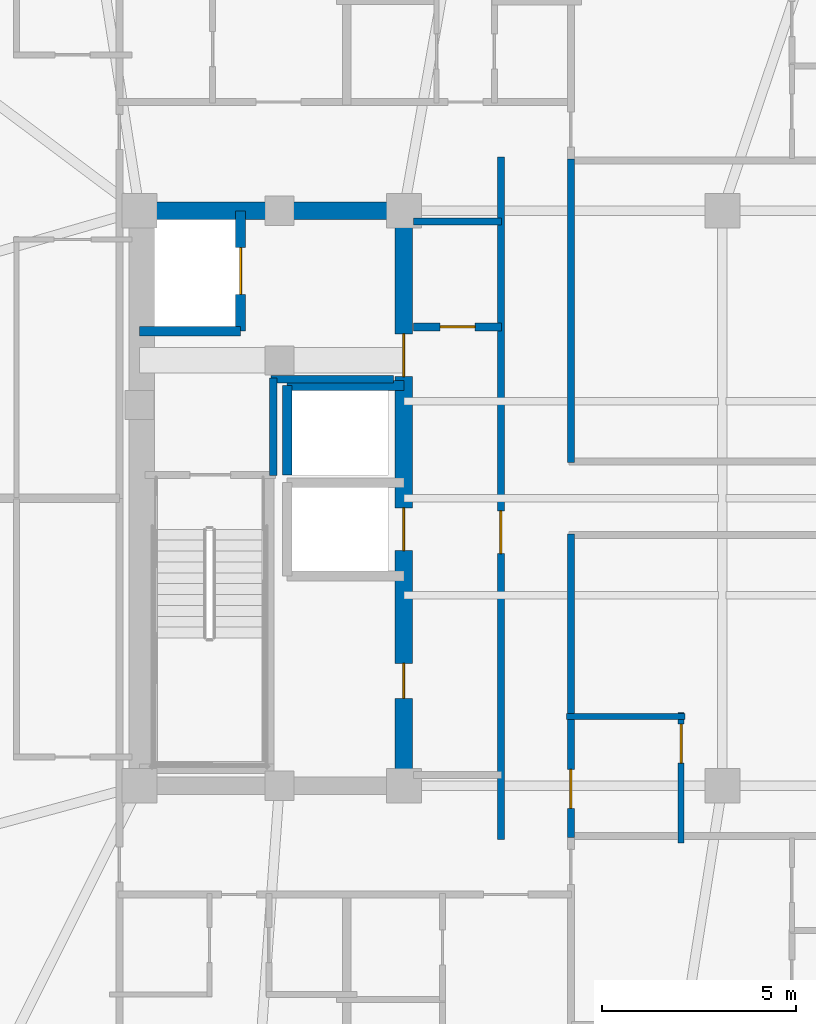
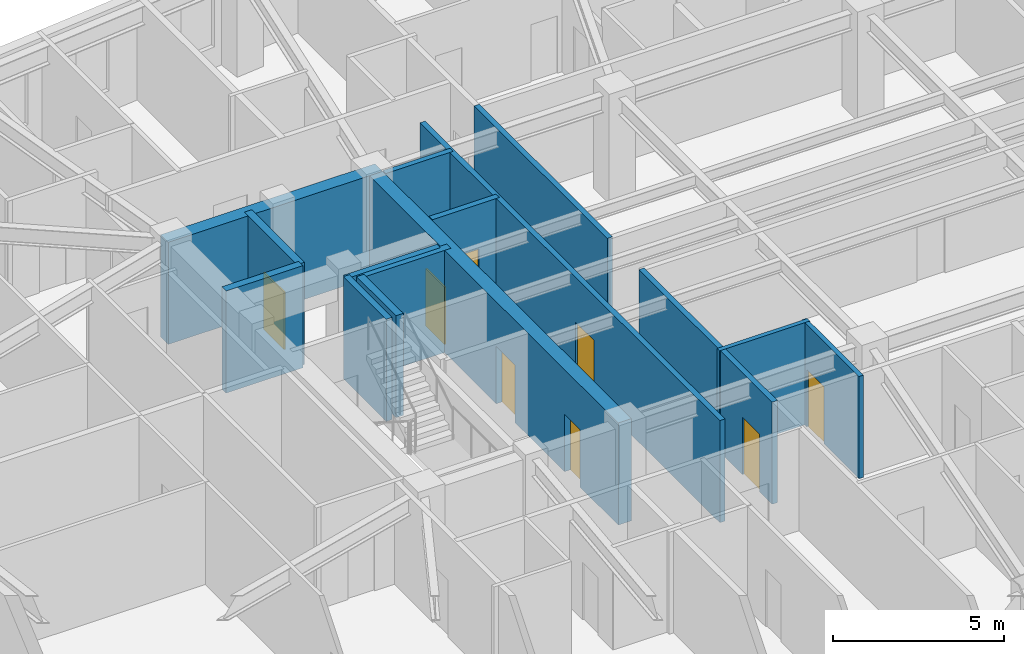
# One storey, part 4 of 12: 15 walls, 8 doors, 8 openings.
"""IFC4 building model written with IfcOpenShell, lengths in metres."""

import ifcopenshell
import ifcopenshell.guid

model = None  # the IFC model being written
_history = None  # IfcOwnerHistory: only IFC2X3 demands one
_inside = {}  # id of a spatial element -> (the spatial element, [elements in it])
_under = {}  # id of a project, library or spatial element -> (it, [spatial elements below it])
_declared = {}  # id of a project -> (the project, [libraries it declares])
_typed = {}  # id of a type object -> (the type object, [elements of that type])
_made_of = {}  # id of a material, layer set ... -> (it, [elements and type objects made of it])


def new_model(schema):
    """Start an empty IFC model of exactly this schema.

    Asked for "IFC4X3", IfcOpenShell would pick the latest addendum, in which some entities
    have other attributes; the version numbers below select the first issue.
    IFC2X3 requires an IfcOwnerHistory on every rooted entity: one is made here for all.
    """
    global model, _history
    if schema == "IFC4X3":
        model = ifcopenshell.file(schema_version=(4, 3, 0, 0))
    else:
        model = ifcopenshell.file(schema=schema)
    _inside.clear()
    _under.clear()
    _declared.clear()
    _typed.clear()
    _made_of.clear()
    _history = None
    if model.schema == "IFC2X3":
        org = make("IfcOrganization", Name="unknown")
        user = make(
            "IfcPersonAndOrganization",
            ThePerson=make("IfcPerson", FamilyName="unknown"),
            TheOrganization=org,
        )
        app = make(
            "IfcApplication",
            ApplicationDeveloper=org,
            Version="unknown",
            ApplicationFullName="unknown",
            ApplicationIdentifier="unknown",
        )
        _history = make(
            "IfcOwnerHistory",
            OwningUser=user,
            OwningApplication=app,
            ChangeAction="ADDED",
            CreationDate=0,
        )
    return model


def make(cls, **values):
    """One entity of the class cls with the attributes given. An attribute that is None is left unset."""
    return model.create_entity(
        cls, **{name: value for name, value in values.items() if value is not None}
    )


def rooted(cls, **values):
    """An entity with a GlobalId (a new one), such as an element, a storey or a relation."""
    return make(cls, GlobalId=ifcopenshell.guid.new(), OwnerHistory=_history, **values)


def si_unit(unit_type, name, prefix=None):
    """IfcSIUnit, for example si_unit("LENGTHUNIT", "METRE", prefix="MILLI")."""
    return make("IfcSIUnit", UnitType=unit_type, Prefix=prefix, Name=name)


def assignment(units):
    """IfcUnitAssignment: the units of a project."""
    return None if units is None else make("IfcUnitAssignment", Units=units)


def point(xyz):
    """IfcCartesianPoint."""
    return None if xyz is None else make("IfcCartesianPoint", Coordinates=xyz)


def direction(xyz):
    """IfcDirection."""
    return None if xyz is None else make("IfcDirection", DirectionRatios=xyz)


def frame(location, z_axis=None, x_axis=None):
    """IfcAxis2Placement3D, a coordinate frame: its origin and axes. An axis left out is left unset."""
    return make(
        "IfcAxis2Placement3D",
        Location=point(location),
        Axis=direction(z_axis),
        RefDirection=direction(x_axis),
    )


def frame_2d(location, x_axis=None):
    """IfcAxis2Placement2D, a coordinate frame in the plane: its origin and x axis."""
    return make(
        "IfcAxis2Placement2D", Location=point(location), RefDirection=direction(x_axis)
    )


def origin():
    """The frame at (0, 0, 0) with its axes left unset."""
    return frame((0.0, 0.0, 0.0))


def place(relative_to, where):
    """IfcLocalPlacement: puts the frame where relative to a parent placement (None: the world)."""
    return make(
        "IfcLocalPlacement", PlacementRelTo=relative_to, RelativePlacement=where
    )


def context(
    kind, dimensions, precision=None, world=None, true_north=None, identifier=None
):
    """IfcGeometricRepresentationContext, for example the 3D "Model" context."""
    return make(
        "IfcGeometricRepresentationContext",
        ContextIdentifier=identifier,
        ContextType=kind,
        CoordinateSpaceDimension=dimensions,
        Precision=precision,
        WorldCoordinateSystem=world,
        TrueNorth=true_north,
    )


def subcontext(parent, identifier, kind, view, scale=None):
    """IfcGeometricRepresentationSubContext, for example "Body" below "Model"."""
    return make(
        "IfcGeometricRepresentationSubContext",
        ContextIdentifier=identifier,
        ContextType=kind,
        ParentContext=parent,
        TargetScale=scale,
        TargetView=view,
    )


def project(units=None, contexts=None):
    """IfcProject with its units and contexts."""
    return rooted(
        "IfcProject",
        Name="project",
        RepresentationContexts=contexts,
        UnitsInContext=assignment(units),
    )


def spatial(cls, under=None, at=None, **own):
    """A site, building, storey or space (cls), placed at a placement, below another one or the project."""
    s = rooted(cls, ObjectPlacement=at, **own)
    if under is not None:
        _under.setdefault(under.id(), (under, []))[1].append(s)
    return s


def profile(cls, at=None, kind="AREA", **sizes):
    """A parametric profile (cls). Its sizes go by their IFC names, for example OverallWidth=200.0."""
    return make(cls, ProfileType=kind, Position=at, **sizes)


def rectangle(**sizes):
    """IfcRectangleProfileDef."""
    return profile("IfcRectangleProfileDef", **sizes)


def extrude(swept, where, along, depth):
    """IfcExtrudedAreaSolid: the profile swept, set in the frame where, extruded along a direction by depth."""
    return make(
        "IfcExtrudedAreaSolid",
        SweptArea=swept,
        Position=where,
        ExtrudedDirection=direction(along),
        Depth=depth,
    )


def shape(context_of_items, identifier, shape_type, items):
    """IfcShapeRepresentation: the items that make up one representation, for example the "Body"."""
    return make(
        "IfcShapeRepresentation",
        ContextOfItems=context_of_items,
        RepresentationIdentifier=identifier,
        RepresentationType=shape_type,
        Items=items,
    )


def material(Name=None, Category=None):
    """IfcMaterial."""
    return make("IfcMaterial", Name=Name, Category=Category)


def layer(
    of_material, thickness, ventilated=None, Name=None, Category=None, Priority=None
):
    """IfcMaterialLayer: one layer of a wall or slab, of a material (None: an air gap)."""
    return make(
        "IfcMaterialLayer",
        Material=of_material,
        LayerThickness=thickness,
        IsVentilated=ventilated,
        Name=Name,
        Category=Category,
        Priority=Priority,
    )


def layer_set(layers, Name=None):
    """IfcMaterialLayerSet."""
    return make("IfcMaterialLayerSet", MaterialLayers=layers, LayerSetName=Name)


def made_of(thing, what):
    """Note that an element or type object is made of a material, layer set ...; save() writes the relation."""
    if what is not None:
        _made_of.setdefault(what.id(), (what, []))[1].append(thing)
    return thing


def type_object(cls, material=None, **own):
    """A type object (cls), such as IfcWallType, which elements share."""
    return made_of(rooted(cls, **own), material)


def element(
    cls,
    number,
    at=None,
    inside=None,
    cuts=None,
    type_object=None,
    material=None,
    context=None,
    identifier="Body",
    shape_type=None,
    held_by="IfcProductDefinitionShape",
    body=None,
    shapes=None,
    **own,
):
    """One element of the class cls, such as IfcWall. Its Tag is "e" and its number.

    at: its placement. inside: the storey or other place that contains it. cuts: it is an
    opening in that element (IfcRelVoidsElement). A single representation is given by context,
    identifier, shape_type and body (its items); several are given by shapes. held_by: the class
    of the entity that holds the representations. save() writes the other relations.
    """
    e = rooted(cls, Tag="e%d" % number, ObjectPlacement=at, **own)
    if body is not None:
        shapes = [shape(context, identifier, shape_type, body)]
    if shapes is not None:
        e.Representation = make(held_by, Representations=shapes)
    if inside is not None:
        _inside.setdefault(inside.id(), (inside, []))[1].append(e)
    if cuts is not None:
        rooted(
            "IfcRelVoidsElement", RelatingBuildingElement=cuts, RelatedOpeningElement=e
        )
    if type_object is not None:
        _typed.setdefault(type_object.id(), (type_object, []))[1].append(e)
    return made_of(e, material)


def fill(opening, filler):
    """IfcRelFillsElement: the door or window that sits in an opening."""
    return rooted(
        "IfcRelFillsElement",
        RelatingOpeningElement=opening,
        RelatedBuildingElement=filler,
    )


def aggregate(whole, parts):
    """IfcRelAggregates: a whole, such as a stair, and the parts it consists of."""
    return rooted("IfcRelAggregates", RelatingObject=whole, RelatedObjects=parts)


def save(model, path):
    """Write the relations noted so far, then the file.

    IfcRelAggregates (storeys below a building ...), IfcRelContainedInSpatialStructure (elements
    in a storey), IfcRelDefinesByType, IfcRelAssociatesMaterial and IfcRelDeclares: one each for
    every whole, place, type object, material and project.
    """
    for whole, parts in _under.values():
        aggregate(whole, parts)
    for where, things in _inside.values():
        rooted(
            "IfcRelContainedInSpatialStructure",
            RelatedElements=things,
            RelatingStructure=where,
        )
    for kind, things in _typed.values():
        rooted("IfcRelDefinesByType", RelatedObjects=things, RelatingType=kind)
    for what, things in _made_of.values():
        rooted("IfcRelAssociatesMaterial", RelatedObjects=things, RelatingMaterial=what)
    for by, libraries in _declared.values():
        rooted("IfcRelDeclares", RelatingContext=by, RelatedDefinitions=libraries)
    model.write(path)


model = new_model("IFC4")

# Units and contexts
model_context = context("Model", 3, precision=1e-05, world=origin(), true_north=direction((0.0, 1.0)))
body_context = subcontext(model_context, "Body", "Model", "MODEL_VIEW")
ifc_project = project(units=[si_unit("LENGTHUNIT", "METRE"), si_unit("AREAUNIT", "SQUARE_METRE"), si_unit("VOLUMEUNIT", "CUBIC_METRE"), si_unit("PLANEANGLEUNIT", "RADIAN"), si_unit("MASSUNIT", "GRAM", prefix="KILO")], contexts=[model_context])

# Site, building, storey
site_placement = place(None, origin())
site = spatial("IfcSite", under=ifc_project, at=site_placement, CompositionType="ELEMENT")
building_placement = place(site_placement, origin())
building = spatial("IfcBuilding", under=site, at=building_placement, Name="Voryun Gate Residences", CompositionType="ELEMENT")
storey_placement = place(building_placement, frame((0.0, 0.0, 187.199951171875)))
storey = spatial("IfcBuildingStorey", under=building, at=storey_placement, Name="L46", CompositionType="ELEMENT", Elevation=187.199951171875)

# Wall
ifc_material_1 = material(Name="Concrete C50/60", Category="concrete")
ifc_layer_1 = layer(ifc_material_1, 0.449951171875, Name="CW_CORE_450")
ifc_layer_set_1 = layer_set([ifc_layer_1], Name="Concrete C50/60")
wall_type_1 = type_object("IfcWallType", Name="CW_CORE_450", PredefinedType="SHEAR", material=ifc_layer_set_1)
wall_1_placement = place(storey_placement, frame((-19.425048828125, 7.39990234375, 0.0), z_axis=(0.0, 0.0, 1.0), x_axis=(1.0, 0.0, 0.0)))
element("IfcWall", 1, at=wall_1_placement, inside=storey, type_object=wall_type_1, Name="L46 Core shear wall CW-L46-WN", PredefinedType="SHEAR", context=body_context, shape_type="SweptSolid", body=[
    extrude(rectangle(XDim=7.25, YDim=0.449951171875, at=frame_2d((3.625, 0.0))), origin(), (0.0, 0.0, 1.0), 3.650146484375),
])

# Wall, openings, doors
wall_2_placement = place(storey_placement, frame((-12.39990234375, -7.39990234375, 0.0), z_axis=(0.0, 0.0, 1.0), x_axis=(0.0, 1.0, 0.0)))
wall_2 = element("IfcWall", 2, at=wall_2_placement, inside=storey, type_object=wall_type_1, Name="L46 Core shear wall CW-L46-WE", PredefinedType="SHEAR", context=body_context, shape_type="SweptSolid", body=[
    extrude(rectangle(XDim=14.7998046875, YDim=0.449951171875, at=frame_2d((7.39990234375, 0.0))), origin(), (0.0, 0.0, 1.0), 3.650146484375),
])
opening_1_placement = place(wall_2_placement, frame((6.050048828125, 0.0, 0.0)))
opening_1 = element("IfcOpeningElement", 3, at=opening_1_placement, cuts=wall_2, Name="Opening LD2", PredefinedType="OPENING", context=body_context, shape_type="SweptSolid", body=[
    extrude(rectangle(XDim=1.10009765625, YDim=2.050048828125, at=frame_2d((0.550048828125, 1.02490234375))), frame((0.0, 0.235107421875, 0.0), z_axis=(0.0, -1.0, 0.0), x_axis=(1.0, 0.0, 0.0)), (0.0, 0.0, 1.0), 0.469970703125),
])
opening_2_placement = place(wall_2_placement, frame((10.530029296875, 0.0, 0.0)))
opening_2 = element("IfcOpeningElement", 4, at=opening_2_placement, cuts=wall_2, Name="Opening D-FD60-2", PredefinedType="OPENING", context=body_context, shape_type="SweptSolid", body=[
    extrude(rectangle(XDim=1.10009765625, YDim=2.050048828125, at=frame_2d((0.550048828125, 1.02490234375))), frame((0.0, 0.235107421875, 0.0), z_axis=(0.0, -1.0, 0.0), x_axis=(1.0, 0.0, 0.0)), (0.0, 0.0, 1.0), 0.469970703125),
])
opening_3_placement = place(wall_2_placement, frame((2.25, 0.0, 0.0)))
opening_3 = element("IfcOpeningElement", 5, at=opening_3_placement, cuts=wall_2, Name="Opening D-FD60-4", PredefinedType="OPENING", context=body_context, shape_type="SweptSolid", body=[
    extrude(rectangle(XDim=0.89990234375, YDim=2.050048828125, at=frame_2d((0.449951171875, 1.02490234375))), frame((0.0, 0.235107421875, 0.0), z_axis=(0.0, -1.0, 0.0), x_axis=(1.0, 0.0, 0.0)), (0.0, 0.0, 1.0), 0.469970703125),
])
ifc_material_2 = material(Name="Painted steel fire door", Category="steel")
door_type_1 = type_object("IfcDoorType", Name="DR_FD60_FFLOB_1100", OperationType="NOTDEFINED", PredefinedType="DOOR", material=ifc_material_2)
door_1_placement = place(opening_2_placement, origin())
door_1 = element("IfcDoor", 6, at=door_1_placement, inside=storey, type_object=door_type_1, Name="Door DR-L46-CLOB-W", OperationType="SINGLE_SWING_LEFT", OverallHeight=2.050048828125, OverallWidth=1.10009765625, PredefinedType="DOOR", context=body_context, shape_type="SweptSolid", body=[
    extrude(rectangle(XDim=1.10009765625, YDim=2.050048828125, at=frame_2d((0.550048828125, 1.02490234375))), frame((0.0, 0.02490234375, 0.0), z_axis=(0.0, -1.0, 0.0), x_axis=(1.0, 0.0, 0.0)), (0.0, 0.0, 1.0), 0.050048828125),
])
fill(opening_2, door_1)
ifc_material_3 = material(Name="Painted steel fire door", Category="steel")
door_type_2 = type_object("IfcDoorType", Name="DR_FD60_RISER_900", OperationType="NOTDEFINED", PredefinedType="DOOR", material=ifc_material_3)
door_2_placement = place(opening_3_placement, origin())
door_2 = element("IfcDoor", 7, at=door_2_placement, inside=storey, type_object=door_type_2, Name="Door DR-L46-RECW1", OperationType="SINGLE_SWING_LEFT", OverallHeight=2.050048828125, OverallWidth=0.89990234375, PredefinedType="DOOR", context=body_context, shape_type="SweptSolid", body=[
    extrude(rectangle(XDim=0.89990234375, YDim=2.050048828125, at=frame_2d((0.449951171875, 1.02490234375))), frame((0.0, 0.02490234375, 0.0), z_axis=(0.0, -1.0, 0.0), x_axis=(1.0, 0.0, 0.0)), (0.0, 0.0, 1.0), 0.050048828125),
])
fill(opening_3, door_2)
ifc_material_4 = material(Name="Anodised aluminium", Category="aluminium")
door_type_3 = type_object("IfcDoorType", Name="DR_LD_PASS_1100", OperationType="NOTDEFINED", PredefinedType="DOOR", material=ifc_material_4)
door_3_placement = place(opening_1_placement, origin())
door_3 = element("IfcDoor", 8, at=door_3_placement, inside=storey, type_object=door_type_3, Name="Lift EL-P4 sliding landing door L46", OperationType="SLIDING_TO_LEFT", OverallHeight=2.050048828125, OverallWidth=1.10009765625, PredefinedType="DOOR", context=body_context, shape_type="SweptSolid", body=[
    extrude(rectangle(XDim=1.10009765625, YDim=2.050048828125, at=frame_2d((0.550048828125, 1.02490234375))), frame((0.0, 0.02490234375, 0.0), z_axis=(0.0, -1.0, 0.0), x_axis=(1.0, 0.0, 0.0)), (0.0, 0.0, 1.0), 0.050048828125),
])
fill(opening_1, door_3)

# Wall
ifc_material_5 = material(Name="Gypsum acoustic fireboard")
ifc_layer_2 = layer(ifc_material_5, 0.179931640625, Name="W_CORR_RATED_180")
ifc_layer_set_2 = layer_set([ifc_layer_2], Name="Gypsum acoustic fireboard")
wall_type_2 = type_object("IfcWallType", Name="W_CORR_RATED_180", PredefinedType="PARTITIONING", material=ifc_layer_set_2)
wall_3_placement = place(storey_placement, frame((-12.14990234375, 7.1201171875, 0.0), z_axis=(0.0, 0.0, 1.0), x_axis=(1.0, 0.0, 0.0)))
element("IfcWall", 9, at=wall_3_placement, inside=storey, type_object=wall_type_2, Name="Partition wall WP-L46-PLBN-W", PredefinedType="PARTITIONING", context=body_context, shape_type="SweptSolid", body=[
    extrude(rectangle(XDim=2.27001953125, YDim=0.179931640625, at=frame_2d((1.135009765625, 0.0))), origin(), (0.0, 0.0, 1.0), 3.650146484375),
])

# Wall, opening, door
wall_4_placement = place(storey_placement, frame((-9.89990234375, -8.780029296875, 0.0), z_axis=(0.0, 0.0, 1.0), x_axis=(0.0, 1.0, 0.0)))
wall_4 = element("IfcWall", 10, at=wall_4_placement, inside=storey, type_object=wall_type_2, Name="Partition wall WP-L46-PLBW-FULL", PredefinedType="PARTITIONING", context=body_context, shape_type="SweptSolid", body=[
    extrude(rectangle(XDim=17.56005859375, YDim=0.179931640625, at=frame_2d((8.780029296875, 0.0))), origin(), (0.0, 0.0, 1.0), 3.650146484375),
])
opening_4_placement = place(wall_4_placement, frame((7.35205078125, 0.0, 0.0)))
opening_4 = element("IfcOpeningElement", 11, at=opening_4_placement, cuts=wall_4, Name="Opening D-FD60-2", PredefinedType="OPENING", context=body_context, shape_type="SweptSolid", body=[
    extrude(rectangle(XDim=1.10009765625, YDim=2.050048828125, at=frame_2d((0.550048828125, 1.02490234375))), frame((0.0, 0.099853515625, 0.0), z_axis=(0.0, -1.0, 0.0), x_axis=(1.0, 0.0, 0.0)), (0.0, 0.0, 1.0), 0.199951171875),
])
door_4_placement = place(opening_4_placement, origin())
door_4 = element("IfcDoor", 12, at=door_4_placement, inside=storey, type_object=door_type_1, Name="Door DR-L46-PLBW-COR", OperationType="SINGLE_SWING_LEFT", OverallHeight=2.050048828125, OverallWidth=1.10009765625, PredefinedType="DOOR", context=body_context, shape_type="SweptSolid", body=[
    extrude(rectangle(XDim=1.10009765625, YDim=2.050048828125, at=frame_2d((0.550048828125, 1.02490234375))), frame((0.0, 0.02490234375, 0.0), z_axis=(0.0, -1.0, 0.0), x_axis=(1.0, 0.0, 0.0)), (0.0, 0.0, 1.0), 0.050048828125),
])
fill(opening_4, door_4)

# Wall
wall_5_placement = place(storey_placement, frame((-8.10009765625, 0.919921875, 0.0), z_axis=(0.0, 0.0, 1.0), x_axis=(0.0, 1.0, 0.0)))
element("IfcWall", 13, at=wall_5_placement, inside=storey, type_object=wall_type_2, Name="Partition wall WP-L46-Z2WL1", PredefinedType="PARTITIONING", context=body_context, shape_type="SweptSolid", body=[
    extrude(rectangle(XDim=7.81005859375, YDim=0.179931640625, at=frame_2d((3.905029296875, 0.0))), origin(), (0.0, 0.0, 1.0), 3.650146484375),
])

# Wall, opening, door
wall_6_placement = place(storey_placement, frame((-8.10009765625, -8.72998046875, 0.0), z_axis=(0.0, 0.0, 1.0), x_axis=(0.0, 1.0, 0.0)))
wall_6 = element("IfcWall", 14, at=wall_6_placement, inside=storey, type_object=wall_type_2, Name="Partition wall WP-L46-Z2WL2", PredefinedType="PARTITIONING", context=body_context, shape_type="SweptSolid", body=[
    extrude(rectangle(XDim=7.81005859375, YDim=0.179931640625, at=frame_2d((3.905029296875, 0.0))), origin(), (0.0, 0.0, 1.0), 3.650146484375),
])
opening_5_placement = place(wall_6_placement, frame((0.74951171875, 0.0, 0.0)))
opening_5 = element("IfcOpeningElement", 15, at=opening_5_placement, cuts=wall_6, Name="Opening D-AWC-1", PredefinedType="OPENING", context=body_context, shape_type="SweptSolid", body=[
    extrude(rectangle(XDim=1.0, YDim=2.050048828125, at=frame_2d((0.5, 1.02490234375))), frame((0.0, 0.099853515625, 0.0), z_axis=(0.0, -1.0, 0.0), x_axis=(1.0, 0.0, 0.0)), (0.0, 0.0, 1.0), 0.199951171875),
])
ifc_material_6 = material(Name="Architectural oak veneer")
door_type_4 = type_object("IfcDoorType", Name="DR_ACC_WC_1000", OperationType="NOTDEFINED", PredefinedType="DOOR", material=ifc_material_6)
door_5_placement = place(opening_5_placement, origin())
door_5 = element("IfcDoor", 16, at=door_5_placement, inside=storey, type_object=door_type_4, Name="Door DR-L46-CMWC-D", OperationType="SINGLE_SWING_LEFT", OverallHeight=2.050048828125, OverallWidth=1.0, PredefinedType="DOOR", context=body_context, shape_type="SweptSolid", body=[
    extrude(rectangle(XDim=1.0, YDim=2.050048828125, at=frame_2d((0.5, 1.02490234375))), frame((0.0, 0.02490234375, 0.0), z_axis=(0.0, -1.0, 0.0), x_axis=(1.0, 0.0, 0.0)), (0.0, 0.0, 1.0), 0.050048828125),
])
fill(opening_5, door_5)

# Walls
ifc_material_7 = material(Name="Concrete C40/50", Category="concrete")
ifc_layer_3 = layer(ifc_material_7, 0.199951171875, Name="W_FF_LOBBY_200")
ifc_layer_set_3 = layer_set([ifc_layer_3], Name="Concrete C40/50")
wall_type_3 = type_object("IfcWallType", Name="W_FF_LOBBY_200", PredefinedType="PARTITIONING", material=ifc_layer_set_3)
wall_7_placement = place(storey_placement, frame((-15.760009765625, 0.580078125, 0.0), z_axis=(0.0, 0.0, 1.0), x_axis=(0.0, 1.0, 0.0)))
element("IfcWall", 17, at=wall_7_placement, inside=storey, type_object=wall_type_3, Name="Partition wall WP-L46-FFP0-W", PredefinedType="PARTITIONING", context=body_context, shape_type="SweptSolid", body=[
    extrude(rectangle(XDim=2.52001953125, YDim=0.199951171875, at=frame_2d((1.260009765625, 0.0))), origin(), (0.0, 0.0, 1.0), 3.650146484375),
])
wall_8_placement = place(storey_placement, frame((-15.820068359375, 3.06005859375, 0.0), z_axis=(0.0, 0.0, 1.0), x_axis=(1.0, 0.0, 0.0)))
element("IfcWall", 18, at=wall_8_placement, inside=storey, type_object=wall_type_3, Name="Partition wall WP-L46-FFPS-W", PredefinedType="PARTITIONING", context=body_context, shape_type="SweptSolid", body=[
    extrude(rectangle(XDim=3.16015625, YDim=0.199951171875, at=frame_2d((1.580078125, 0.0))), origin(), (0.0, 0.0, 1.0), 3.650146484375),
])

# Wall, opening, door
wall_9_placement = place(storey_placement, frame((-12.14990234375, 4.409912109375, 0.0), z_axis=(0.0, 0.0, 1.0), x_axis=(1.0, 0.0, 0.0)))
wall_9 = element("IfcWall", 19, at=wall_9_placement, inside=storey, type_object=wall_type_3, Name="Partition wall WP-L46-CSFLKS-W", PredefinedType="PARTITIONING", context=body_context, shape_type="SweptSolid", body=[
    extrude(rectangle(XDim=2.27001953125, YDim=0.199951171875, at=frame_2d((1.135009765625, 0.0))), origin(), (0.0, 0.0, 1.0), 3.650146484375),
])
opening_6_placement = place(wall_9_placement, frame((0.68505859375, 0.0, 0.0)))
opening_6 = element("IfcOpeningElement", 20, at=opening_6_placement, cuts=wall_9, Name="Opening D-FD60-4", PredefinedType="OPENING", context=body_context, shape_type="SweptSolid", body=[
    extrude(rectangle(XDim=0.89990234375, YDim=2.050048828125, at=frame_2d((0.449951171875, 1.02490234375))), frame((0.0, 0.110107421875, 0.0), z_axis=(0.0, -1.0, 0.0), x_axis=(1.0, 0.0, 0.0)), (0.0, 0.0, 1.0), 0.219970703125),
])
door_6_placement = place(opening_6_placement, origin())
door_6 = element("IfcDoor", 21, at=door_6_placement, inside=storey, type_object=door_type_2, Name="Door DR-L46-CSFLK-W", OperationType="SINGLE_SWING_LEFT", OverallHeight=2.050048828125, OverallWidth=0.89990234375, PredefinedType="DOOR", context=body_context, shape_type="SweptSolid", body=[
    extrude(rectangle(XDim=0.89990234375, YDim=2.050048828125, at=frame_2d((0.449951171875, 1.02490234375))), frame((0.0, 0.02490234375, 0.0), z_axis=(0.0, -1.0, 0.0), x_axis=(1.0, 0.0, 0.0)), (0.0, 0.0, 1.0), 0.050048828125),
])
fill(opening_6, door_6)

# Wall
ifc_material_8 = material(Name="Concrete C50/60", Category="concrete")
ifc_layer_4 = layer(ifc_material_8, 0.25, Name="W_SHAFT_RC250")
ifc_layer_set_4 = layer_set([ifc_layer_4], Name="Concrete C50/60")
wall_type_4 = type_object("IfcWallType", Name="W_SHAFT_RC250", PredefinedType="SOLIDWALL", material=ifc_layer_set_4)
wall_10_placement = place(storey_placement, frame((-19.199951171875, 4.300048828125, 0.0), z_axis=(0.0, 0.0, 1.0), x_axis=(1.0, 0.0, 0.0)))
element("IfcWall", 22, at=wall_10_placement, inside=storey, type_object=wall_type_4, Name="Lift shaft wall WSH-L46-EL-FF-W1-S", PredefinedType="SOLIDWALL", context=body_context, shape_type="SweptSolid", body=[
    extrude(rectangle(XDim=2.599853515625, YDim=0.25, at=frame_2d((1.2998046875, 0.0))), origin(), (0.0, 0.0, 1.0), 3.650146484375),
])

# Wall, opening, door
wall_11_placement = place(storey_placement, frame((-16.60009765625, 4.300048828125, 0.0), z_axis=(0.0, 0.0, 1.0), x_axis=(0.0, 1.0, 0.0)))
wall_11 = element("IfcWall", 23, at=wall_11_placement, inside=storey, type_object=wall_type_4, Name="Lift shaft wall WSH-L46-EL-FF-W1-E", PredefinedType="SOLIDWALL", context=body_context, shape_type="SweptSolid", body=[
    extrude(rectangle(XDim=3.099853515625, YDim=0.25, at=frame_2d((1.5498046875, 0.0))), origin(), (0.0, 0.0, 1.0), 3.650146484375),
])
opening_7_placement = place(wall_11_placement, frame((0.949951171875, 0.0, 0.0)))
opening_7 = element("IfcOpeningElement", 24, at=opening_7_placement, cuts=wall_11, Name="Opening LD1", PredefinedType="OPENING", context=body_context, shape_type="SweptSolid", body=[
    extrude(rectangle(XDim=1.199951171875, YDim=2.050048828125, at=frame_2d((0.60009765625, 1.02490234375))), frame((0.0, 0.135009765625, 0.0), z_axis=(0.0, -1.0, 0.0), x_axis=(1.0, 0.0, 0.0)), (0.0, 0.0, 1.0), 0.27001953125),
])
ifc_material_9 = material(Name="Anodised aluminium", Category="aluminium")
door_type_5 = type_object("IfcDoorType", Name="DR_LD_FF_1200", OperationType="NOTDEFINED", PredefinedType="DOOR", material=ifc_material_9)
door_7_placement = place(opening_7_placement, origin())
door_7 = element("IfcDoor", 25, at=door_7_placement, inside=storey, type_object=door_type_5, Name="Lift EL-FF-W1 sliding landing door L46", OperationType="SLIDING_TO_LEFT", OverallHeight=2.050048828125, OverallWidth=1.199951171875, PredefinedType="DOOR", context=body_context, shape_type="SweptSolid", body=[
    extrude(rectangle(XDim=1.199951171875, YDim=2.050048828125, at=frame_2d((0.60009765625, 1.02490234375))), frame((0.0, 0.02490234375, 0.0), z_axis=(0.0, -1.0, 0.0), x_axis=(1.0, 0.0, 0.0)), (0.0, 0.0, 1.0), 0.050048828125),
])
fill(opening_7, door_7)

# Walls
wall_12_placement = place(storey_placement, frame((-12.39990234375, 2.89990234375, 0.0), z_axis=(0.0, 0.0, 1.0), x_axis=(-1.0, 0.0, 0.0)))
element("IfcWall", 26, at=wall_12_placement, inside=storey, type_object=wall_type_4, Name="Lift shaft wall WSH-L46-EL-P7-N", PredefinedType="SOLIDWALL", context=body_context, shape_type="SweptSolid", body=[
    extrude(rectangle(XDim=3.0, YDim=0.25, at=frame_2d((1.5, 0.0))), origin(), (0.0, 0.0, 1.0), 3.650146484375),
])
wall_13_placement = place(storey_placement, frame((-15.39990234375, 2.89990234375, 0.0), z_axis=(0.0, 0.0, 1.0), x_axis=(0.0, -1.0, 0.0)))
element("IfcWall", 27, at=wall_13_placement, inside=storey, type_object=wall_type_4, Name="Lift shaft wall WSH-L46-EL-P7-W", PredefinedType="SOLIDWALL", context=body_context, shape_type="SweptSolid", body=[
    extrude(rectangle(XDim=2.2998046875, YDim=0.25, at=frame_2d((1.14990234375, 0.0))), origin(), (0.0, 0.0, 1.0), 3.650146484375),
])

# Wall, opening, door
ifc_material_10 = material(Name="Gypsum moisture-resistant partition")
ifc_layer_5 = layer(ifc_material_10, 0.14990234375, Name="W_WET_PLUMB_150")
ifc_layer_set_5 = layer_set([ifc_layer_5], Name="Gypsum moisture-resistant partition")
wall_type_5 = type_object("IfcWallType", Name="W_WET_PLUMB_150", PredefinedType="PLUMBINGWALL", material=ifc_layer_set_5)
wall_14_placement = place(storey_placement, frame((-5.260009765625, -8.8701171875, 0.0), z_axis=(0.0, 0.0, 1.0), x_axis=(0.0, 1.0, 0.0)))
wall_14 = element("IfcWall", 28, at=wall_14_placement, inside=storey, type_object=wall_type_5, Name="Partition wall WP-L46-CMWCX", PredefinedType="PLUMBINGWALL", context=body_context, shape_type="SweptSolid", body=[
    extrude(rectangle(XDim=3.35009765625, YDim=0.14990234375, at=frame_2d((1.675048828125, 0.0))), origin(), (0.0, 0.0, 1.0), 3.650146484375),
])
opening_8_placement = place(wall_14_placement, frame((2.054931640625, 0.0, 0.0)))
opening_8 = element("IfcOpeningElement", 29, at=opening_8_placement, cuts=wall_14, Name="Opening D-AWC-1", PredefinedType="OPENING", context=body_context, shape_type="SweptSolid", body=[
    extrude(rectangle(XDim=1.0, YDim=2.050048828125, at=frame_2d((0.5, 1.02490234375))), frame((0.0, 0.0849609375, 0.0), z_axis=(0.0, -1.0, 0.0), x_axis=(1.0, 0.0, 0.0)), (0.0, 0.0, 1.0), 0.169921875),
])
door_8_placement = place(opening_8_placement, origin())
door_8 = element("IfcDoor", 30, at=door_8_placement, inside=storey, type_object=door_type_4, Name="Door DR-L46-CMWC", OperationType="SINGLE_SWING_LEFT", OverallHeight=2.050048828125, OverallWidth=1.0, PredefinedType="DOOR", context=body_context, shape_type="SweptSolid", body=[
    extrude(rectangle(XDim=1.0, YDim=2.050048828125, at=frame_2d((0.5, 1.02490234375))), frame((0.0, 0.02490234375, 0.0), z_axis=(0.0, -1.0, 0.0), x_axis=(1.0, 0.0, 0.0)), (0.0, 0.0, 1.0), 0.050048828125),
])
fill(opening_8, door_8)

# Wall
wall_15_placement = place(storey_placement, frame((-8.2099609375, -5.6201171875, 0.0), z_axis=(0.0, 0.0, 1.0), x_axis=(1.0, 0.0, 0.0)))
element("IfcWall", 31, at=wall_15_placement, inside=storey, type_object=wall_type_5, Name="Partition wall WP-L46-CMWCY", PredefinedType="PLUMBINGWALL", context=body_context, shape_type="SweptSolid", body=[
    extrude(rectangle(XDim=3.050048828125, YDim=0.14990234375, at=frame_2d((1.52490234375, 0.0))), origin(), (0.0, 0.0, 1.0), 3.650146484375),
])

save(model, "model.ifc")
